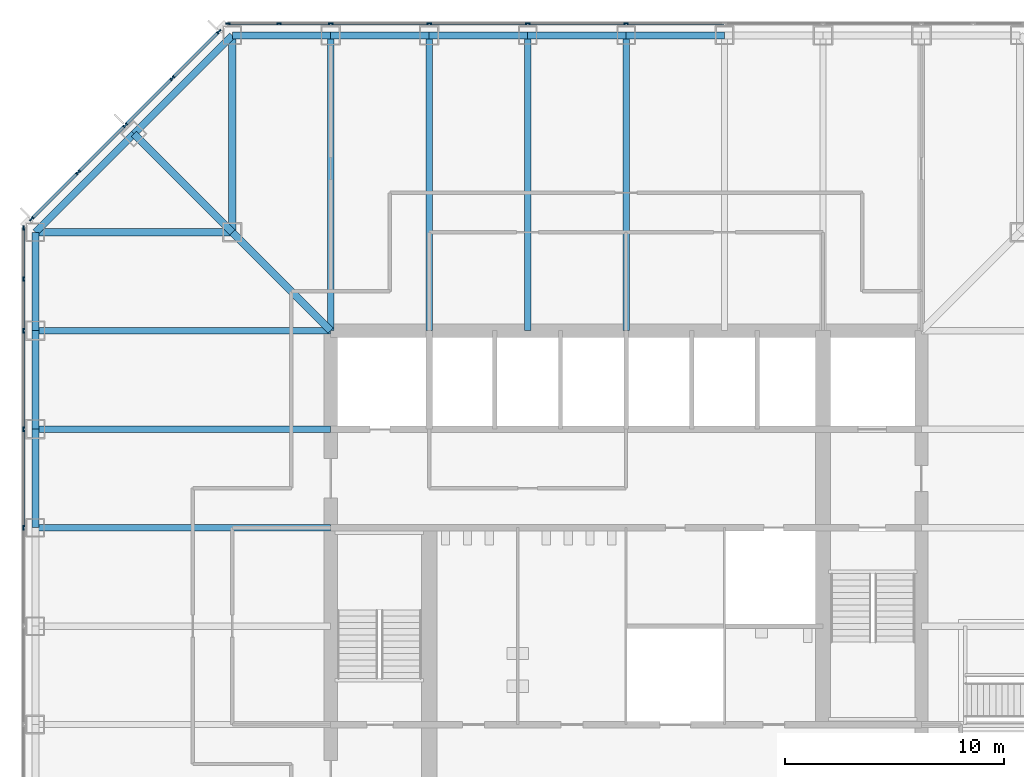
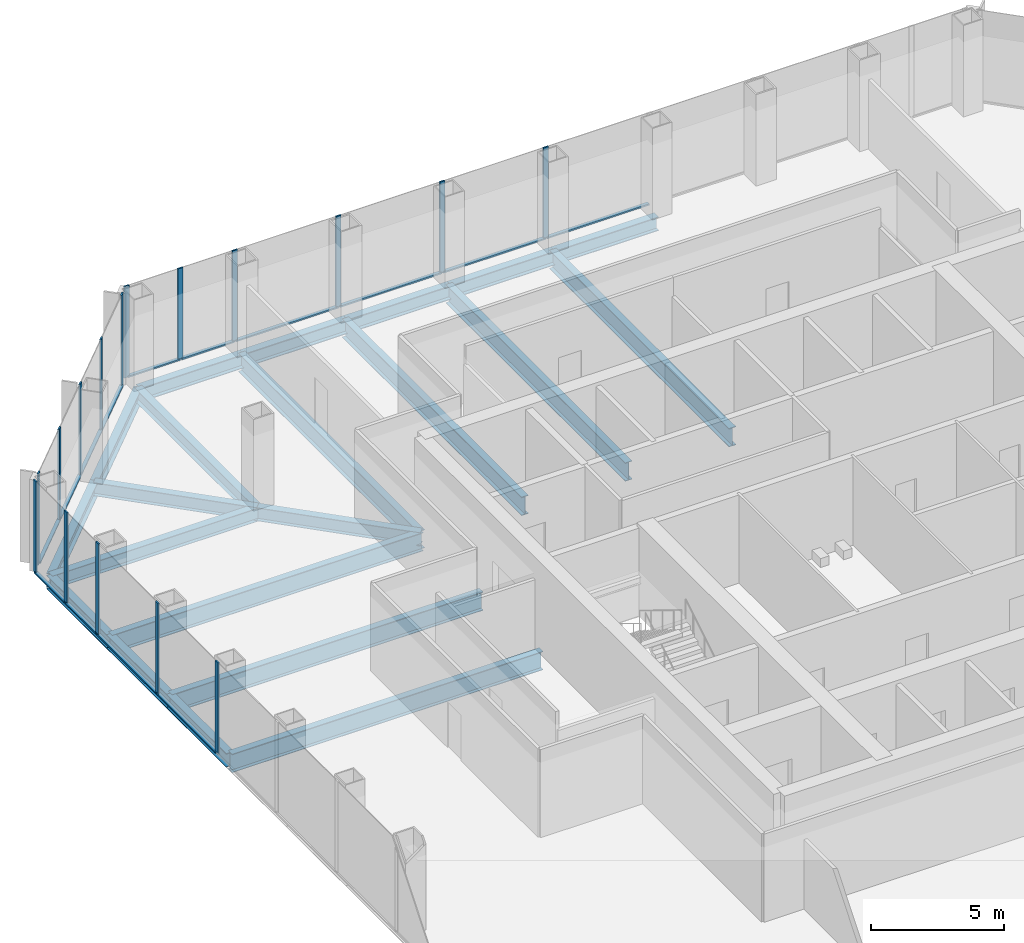
# One storey, part 5 of 12: 30 members, 21 beams, 3 elements without a shape of their own.
"""IFC4 building model written with IfcOpenShell, lengths in metres."""

from ifc_helpers import new_model, si_unit, direction, frame, origin, origin_2d, place, context, subcontext, project, spatial, rectangle, i_section, extrude, material, material_profile, profile_set, type_object, element, aggregate, save


model = new_model("IFC4")

# Units and contexts
model_context = context("Model", 3, precision=1e-05, world=origin(), true_north=direction((0.0, 1.0)))
body_context = subcontext(model_context, "Body", "Model", "MODEL_VIEW")
ifc_project = project(units=[si_unit("LENGTHUNIT", "METRE"), si_unit("AREAUNIT", "SQUARE_METRE"), si_unit("VOLUMEUNIT", "CUBIC_METRE"), si_unit("PLANEANGLEUNIT", "RADIAN"), si_unit("MASSUNIT", "GRAM", prefix="KILO")], contexts=[model_context])

# Site, building, storey
site_placement = place(None, origin())
site = spatial("IfcSite", under=ifc_project, at=site_placement, CompositionType="ELEMENT")
building_placement = place(site_placement, origin())
building = spatial("IfcBuilding", under=site, at=building_placement, Name="Corais Broadcast Tower", CompositionType="ELEMENT")
storey_placement = place(building_placement, frame((0.0, 0.0, 33.199951171875)))
storey = spatial("IfcBuildingStorey", under=building, at=storey_placement, Name="L06", CompositionType="ELEMENT", Elevation=33.199951171875)

# Beams
ifc_material_1 = material(Name="Steel ASTM A572 Grade 50", Category="steel")
ifc_material_profile_1 = material_profile(ifc_material_1, i_section(OverallWidth=0.323974609375, OverallDepth=0.611083984375, WebThickness=0.0126953125, FlangeThickness=0.01904296875, at=origin_2d()), Name="W610x155")
ifc_profile_set_1 = profile_set([ifc_material_profile_1], Name="Steel ASTM A572 Grade 50")
beam_type_1 = type_object("IfcBeamType", Name="Chamfer tie W610x155", PredefinedType="BEAM", material=ifc_profile_set_1)
beam_1_placement = place(storey_placement, frame((4.5, 49.5, -0.46533203125), z_axis=(0.707106781187, -0.707106781187, 0.0), x_axis=(0.707106781187, 0.707106781187, 0.0)))
element("IfcBeam", 1, at=beam_1_placement, inside=storey, type_object=beam_type_1, Name="B5 M/4 to L/5", PredefinedType="BEAM", context=body_context, shape_type="SweptSolid", body=[
    extrude(i_section(OverallWidth=0.323974609375, OverallDepth=0.611083984375, WebThickness=0.0126953125, FlangeThickness=0.01904296875, at=origin_2d()), origin(), (0.0, 0.0, 1.0), 6.364013671875),
])
ifc_material_2 = material(Name="Steel ASTM A572 Grade 50", Category="steel")
ifc_material_profile_2 = material_profile(ifc_material_2, i_section(OverallWidth=0.323974609375, OverallDepth=0.611083984375, WebThickness=0.0126953125, FlangeThickness=0.01904296875, at=origin_2d()), Name="W610x155")
ifc_profile_set_2 = profile_set([ifc_material_profile_2], Name="Steel ASTM A572 Grade 50")
beam_type_2 = type_object("IfcBeamType", Name="Corner diagonal W610x155", PredefinedType="BEAM", material=ifc_profile_set_2)
beam_2_placement = place(storey_placement, frame((9.0, 45.0, -0.46533203125), z_axis=(0.707106781187, -0.707106781187, 0.0), x_axis=(0.707106781187, 0.707106781187, 0.0)))
element("IfcBeam", 2, at=beam_2_placement, inside=storey, type_object=beam_type_2, Name="B6 L/5 to K/6", PredefinedType="BEAM", context=body_context, shape_type="SweptSolid", body=[
    extrude(i_section(OverallWidth=0.323974609375, OverallDepth=0.611083984375, WebThickness=0.0126953125, FlangeThickness=0.01904296875, at=origin_2d()), origin(), (0.0, 0.0, 1.0), 6.364013671875),
])
ifc_material_3 = material(Name="Steel ASTM A572 Grade 50", Category="steel")
ifc_material_profile_3 = material_profile(ifc_material_3, i_section(OverallWidth=0.323974609375, OverallDepth=0.611083984375, WebThickness=0.0126953125, FlangeThickness=0.01904296875, at=origin_2d()), Name="W610x155")
ifc_profile_set_3 = profile_set([ifc_material_profile_3], Name="Steel ASTM A572 Grade 50")
beam_type_3 = type_object("IfcBeamType", Name="Corner girder W610x155", PredefinedType="BEAM", material=ifc_profile_set_3)
for number, where, z_axis, x_axis, name in (
    (3, (0.0, 45.0, -0.46533203125), (1.0, 0.0, 0.0), (0.0, 1.0, 0.0), "B4 L/3 to L/5"),
    (4, (9.0, 54.0, -0.46533203125), (0.0, -1.0, 0.0), (1.0, 0.0, 0.0), "B4 N/5 to L/5"),
):
    element("IfcBeam", number, at=place(storey_placement, frame(where, z_axis=z_axis, x_axis=x_axis)), inside=storey, type_object=beam_type_3, Name=name, PredefinedType="BEAM", context=body_context, shape_type="SweptSolid", body=[
        extrude(i_section(OverallWidth=0.323974609375, OverallDepth=0.611083984375, WebThickness=0.0126953125, FlangeThickness=0.01904296875, at=origin_2d()), origin(), (0.0, 0.0, 1.0), 9.0),
    ])
ifc_material_4 = material(Name="Steel ASTM A572 Grade 50", Category="steel")
ifc_material_profile_4 = material_profile(ifc_material_4, i_section(OverallWidth=0.2939453125, OverallDepth=0.85107421875, WebThickness=0.01611328125, FlangeThickness=0.02685546875, at=origin_2d()), Name="W840x226")
ifc_profile_set_4 = profile_set([ifc_material_profile_4], Name="Steel ASTM A572 Grade 50")
beam_type_4 = type_object("IfcBeamType", Name="Floor beam W840x226", PredefinedType="BEAM", material=ifc_profile_set_4)
for number, where, z_axis, x_axis, name in (
    (5, (0.0, 31.5, -0.58544921875), (1.0, 0.0, 0.0), (0.0, 1.0, 0.0), "B1 H/3 to H/6"),
    (6, (0.0, 36.0, -0.58544921875), (1.0, 0.0, 0.0), (0.0, 1.0, 0.0), "B1 J/3 to J/6"),
    (7, (0.0, 40.5, -0.58544921875), (1.0, 0.0, 0.0), (0.0, 1.0, 0.0), "B1 K/3 to K/6"),
    (8, (13.5, 54.0, -0.58544921875), (0.0, -1.0, 0.0), (1.0, 0.0, 0.0), "B1 N/6 to K/6"),
    (9, (18.0, 54.0, -0.58544921875), (0.0, -1.0, 0.0), (1.0, 0.0, 0.0), "B1 N/7 to K/7"),
    (10, (22.5, 54.0, -0.58544921875), (0.0, -1.0, 0.0), (1.0, 0.0, 0.0), "B1 N/8 to K/8"),
    (11, (27.0, 54.0, -0.58544921875), (0.0, -1.0, 0.0), (1.0, 0.0, 0.0), "B1 N/9 to K/9"),
):
    element("IfcBeam", number, at=place(storey_placement, frame(where, z_axis=z_axis, x_axis=x_axis)), inside=storey, type_object=beam_type_4, Name=name, PredefinedType="BEAM", context=body_context, shape_type="SweptSolid", body=[
        extrude(i_section(OverallWidth=0.2939453125, OverallDepth=0.85107421875, WebThickness=0.01611328125, FlangeThickness=0.02685546875, at=origin_2d()), origin(), (0.0, 0.0, 1.0), 13.5),
    ])

# Curtain wall, members
ifc_material_5 = material(Name="Aluminium and glass", Category="aluminium")
curtain_wall_type = type_object("IfcCurtainWallType", Name="Newsroom clear-glass curtain wall CW7", PredefinedType="NOTDEFINED", material=ifc_material_5)
curtain_wall_1_placement = place(storey_placement, origin())
curtain_wall_1 = element("IfcCurtainWall", 12, at=curtain_wall_1_placement, inside=storey, type_object=curtain_wall_type, Name="CW7 curtain wall L06 2", PredefinedType="NOTDEFINED")
ifc_material_6 = material(Name="Aluminium 6063-T6", Category="aluminium")
ifc_material_profile_5 = material_profile(ifc_material_6, rectangle(XDim=0.06494140625, YDim=0.219970703125, at=origin_2d()), Name="Mullion CW7 65x220")
ifc_profile_set_5 = profile_set([ifc_material_profile_5], Name="Aluminium 6063-T6")
member_type_1 = type_object("IfcMemberType", Name="Mullion CW7 65x220", PredefinedType="MULLION", material=ifc_profile_set_5)
member_1_placement = place(storey_placement, frame((-0.550048828125, 31.5, 0.0), z_axis=(0.0, 0.0, 1.0), x_axis=(-1.0, 0.0, 0.0)))
member_1 = element("IfcMember", 13, at=member_1_placement, type_object=member_type_1, Name="CW7 mullion 7", PredefinedType="MULLION", context=body_context, shape_type="SweptSolid", body=[
    extrude(rectangle(XDim=0.06494140625, YDim=0.219970703125, at=origin_2d()), origin(), (0.0, 0.0, 1.0), 4.199951171875),
])
member_2_placement = place(storey_placement, frame((-0.550048828125, 36.0, 0.0), z_axis=(0.0, 0.0, 1.0), x_axis=(-1.0, 0.0, 0.0)))
member_2 = element("IfcMember", 14, at=member_2_placement, type_object=member_type_1, Name="CW7 mullion 8", PredefinedType="MULLION", context=body_context, shape_type="SweptSolid", body=[
    extrude(rectangle(XDim=0.06494140625, YDim=0.219970703125, at=origin_2d()), origin(), (0.0, 0.0, 1.0), 4.199951171875),
])
member_3_placement = place(storey_placement, frame((-0.550048828125, 40.5, 0.0), z_axis=(0.0, 0.0, 1.0), x_axis=(-1.0, 0.0, 0.0)))
member_3 = element("IfcMember", 15, at=member_3_placement, type_object=member_type_1, Name="CW7 mullion 9", PredefinedType="MULLION", context=body_context, shape_type="SweptSolid", body=[
    extrude(rectangle(XDim=0.06494140625, YDim=0.219970703125, at=origin_2d()), origin(), (0.0, 0.0, 1.0), 4.199951171875),
])
member_4_placement = place(storey_placement, frame((-0.550048828125, 42.864013671875, 0.0), z_axis=(0.0, 0.0, 1.0), x_axis=(-1.0, 0.0, 0.0)))
member_4 = element("IfcMember", 16, at=member_4_placement, type_object=member_type_1, Name="CW7 mullion 10", PredefinedType="MULLION", context=body_context, shape_type="SweptSolid", body=[
    extrude(rectangle(XDim=0.06494140625, YDim=0.219970703125, at=origin_2d()), origin(), (0.0, 0.0, 1.0), 4.199951171875),
])
member_5_placement = place(storey_placement, frame((-0.550048828125, 45.1953125, 0.0), z_axis=(0.0, 0.0, 1.0), x_axis=(-1.0, 0.0, 0.0)))
member_5 = element("IfcMember", 17, at=member_5_placement, type_object=member_type_1, Name="CW7 mullion 11", PredefinedType="MULLION", context=body_context, shape_type="SweptSolid", body=[
    extrude(rectangle(XDim=0.06494140625, YDim=0.219970703125, at=origin_2d()), origin(), (0.0, 0.0, 1.0), 4.199951171875),
])

curtain_wall_2_placement = place(storey_placement, origin())
curtain_wall_2 = element("IfcCurtainWall", 18, at=curtain_wall_2_placement, inside=storey, type_object=curtain_wall_type, Name="CW7 curtain wall L06 3", PredefinedType="NOTDEFINED")
member_6_placement = place(storey_placement, frame((-0.17333984375, 45.6044921875, 0.0), z_axis=(0.0, 0.0, 1.0), x_axis=(-0.707106781187, 0.707106781187, 0.0)))
member_6 = element("IfcMember", 19, at=member_6_placement, type_object=member_type_1, Name="CW7 mullion 1", PredefinedType="MULLION", context=body_context, shape_type="SweptSolid", body=[
    extrude(rectangle(XDim=0.06494140625, YDim=0.219970703125, at=origin_2d()), origin(), (0.0, 0.0, 1.0), 4.199951171875),
])
member_7_placement = place(storey_placement, frame((1.957275390625, 47.735107421875, 0.0), z_axis=(0.0, 0.0, 1.0), x_axis=(-0.707106781187, 0.707106781187, 0.0)))
member_7 = element("IfcMember", 20, at=member_7_placement, type_object=member_type_1, Name="CW7 mullion 2", PredefinedType="MULLION", context=body_context, shape_type="SweptSolid", body=[
    extrude(rectangle(XDim=0.06494140625, YDim=0.219970703125, at=origin_2d()), origin(), (0.0, 0.0, 1.0), 4.199951171875),
])
member_8_placement = place(storey_placement, frame((4.111083984375, 49.888916015625, 0.0), z_axis=(0.0, 0.0, 1.0), x_axis=(-0.707106781187, 0.707106781187, 0.0)))
member_8 = element("IfcMember", 21, at=member_8_placement, type_object=member_type_1, Name="CW7 mullion 3", PredefinedType="MULLION", context=body_context, shape_type="SweptSolid", body=[
    extrude(rectangle(XDim=0.06494140625, YDim=0.219970703125, at=origin_2d()), origin(), (0.0, 0.0, 1.0), 4.199951171875),
])
member_9_placement = place(storey_placement, frame((6.264892578125, 52.042724609375, 0.0), z_axis=(0.0, 0.0, 1.0), x_axis=(-0.707106781187, 0.707106781187, 0.0)))
member_9 = element("IfcMember", 22, at=member_9_placement, type_object=member_type_1, Name="CW7 mullion 4", PredefinedType="MULLION", context=body_context, shape_type="SweptSolid", body=[
    extrude(rectangle(XDim=0.06494140625, YDim=0.219970703125, at=origin_2d()), origin(), (0.0, 0.0, 1.0), 4.199951171875),
])
member_10_placement = place(storey_placement, frame((8.3955078125, 54.17333984375, 0.0), z_axis=(0.0, 0.0, 1.0), x_axis=(-0.707106781187, 0.707106781187, 0.0)))
member_10 = element("IfcMember", 23, at=member_10_placement, type_object=member_type_1, Name="CW7 mullion 5", PredefinedType="MULLION", context=body_context, shape_type="SweptSolid", body=[
    extrude(rectangle(XDim=0.06494140625, YDim=0.219970703125, at=origin_2d()), origin(), (0.0, 0.0, 1.0), 4.199951171875),
])

curtain_wall_3_placement = place(storey_placement, origin())
curtain_wall_3 = element("IfcCurtainWall", 24, at=curtain_wall_3_placement, inside=storey, type_object=curtain_wall_type, Name="CW7 curtain wall L06 4", PredefinedType="NOTDEFINED")
member_11_placement = place(storey_placement, frame((8.8046875, 54.550048828125, 0.0), z_axis=(0.0, 0.0, 1.0), x_axis=(0.0, 1.0, 0.0)))
member_11 = element("IfcMember", 25, at=member_11_placement, type_object=member_type_1, Name="CW7 mullion 1", PredefinedType="MULLION", context=body_context, shape_type="SweptSolid", body=[
    extrude(rectangle(XDim=0.06494140625, YDim=0.219970703125, at=origin_2d()), origin(), (0.0, 0.0, 1.0), 4.199951171875),
])
member_12_placement = place(storey_placement, frame((11.135986328125, 54.550048828125, 0.0), z_axis=(0.0, 0.0, 1.0), x_axis=(0.0, 1.0, 0.0)))
member_12 = element("IfcMember", 26, at=member_12_placement, type_object=member_type_1, Name="CW7 mullion 2", PredefinedType="MULLION", context=body_context, shape_type="SweptSolid", body=[
    extrude(rectangle(XDim=0.06494140625, YDim=0.219970703125, at=origin_2d()), origin(), (0.0, 0.0, 1.0), 4.199951171875),
])
member_13_placement = place(storey_placement, frame((13.5, 54.550048828125, 0.0), z_axis=(0.0, 0.0, 1.0), x_axis=(0.0, 1.0, 0.0)))
member_13 = element("IfcMember", 27, at=member_13_placement, type_object=member_type_1, Name="CW7 mullion 3", PredefinedType="MULLION", context=body_context, shape_type="SweptSolid", body=[
    extrude(rectangle(XDim=0.06494140625, YDim=0.219970703125, at=origin_2d()), origin(), (0.0, 0.0, 1.0), 4.199951171875),
])
member_14_placement = place(storey_placement, frame((18.0, 54.550048828125, 0.0), z_axis=(0.0, 0.0, 1.0), x_axis=(0.0, 1.0, 0.0)))
member_14 = element("IfcMember", 28, at=member_14_placement, type_object=member_type_1, Name="CW7 mullion 4", PredefinedType="MULLION", context=body_context, shape_type="SweptSolid", body=[
    extrude(rectangle(XDim=0.06494140625, YDim=0.219970703125, at=origin_2d()), origin(), (0.0, 0.0, 1.0), 4.199951171875),
])
member_15_placement = place(storey_placement, frame((22.5, 54.550048828125, 0.0), z_axis=(0.0, 0.0, 1.0), x_axis=(0.0, 1.0, 0.0)))
member_15 = element("IfcMember", 29, at=member_15_placement, type_object=member_type_1, Name="CW7 mullion 5", PredefinedType="MULLION", context=body_context, shape_type="SweptSolid", body=[
    extrude(rectangle(XDim=0.06494140625, YDim=0.219970703125, at=origin_2d()), origin(), (0.0, 0.0, 1.0), 4.199951171875),
])
member_16_placement = place(storey_placement, frame((27.0, 54.550048828125, 0.0), z_axis=(0.0, 0.0, 1.0), x_axis=(0.0, 1.0, 0.0)))
member_16 = element("IfcMember", 30, at=member_16_placement, type_object=member_type_1, Name="CW7 mullion 6", PredefinedType="MULLION", context=body_context, shape_type="SweptSolid", body=[
    extrude(rectangle(XDim=0.06494140625, YDim=0.219970703125, at=origin_2d()), origin(), (0.0, 0.0, 1.0), 4.199951171875),
])

# Beams
ifc_material_7 = material(Name="Steel ASTM A572 Grade 50", Category="steel")
ifc_material_profile_6 = material_profile(ifc_material_7, i_section(OverallWidth=0.3291015625, OverallDepth=0.635009765625, WebThickness=0.017822265625, FlangeThickness=0.031005859375, at=origin_2d()), Name="W610x241")
ifc_profile_set_6 = profile_set([ifc_material_profile_6], Name="Steel ASTM A572 Grade 50")
beam_type_5 = type_object("IfcBeamType", Name="Spandrel W610x241", PredefinedType="BEAM", material=ifc_profile_set_6)
for number, where, z_axis, x_axis, name in (
    (31, (0.0, 36.0, -0.4775390625), (0.0, -1.0, 0.0), (1.0, 0.0, 0.0), "SB1 J/3 to H/3"),
    (32, (0.0, 40.5, -0.4775390625), (0.0, -1.0, 0.0), (1.0, 0.0, 0.0), "SB1 K/3 to J/3"),
    (33, (0.0, 45.0, -0.4775390625), (0.0, -1.0, 0.0), (1.0, 0.0, 0.0), "SB1 L/3 to K/3"),
    (34, (13.5, 54.0, -0.4775390625), (-1.0, 0.0, 0.0), (0.0, -1.0, 0.0), "SB1 N/6 to N/5"),
    (35, (18.0, 54.0, -0.4775390625), (-1.0, 0.0, 0.0), (0.0, -1.0, 0.0), "SB1 N/7 to N/6"),
    (36, (22.5, 54.0, -0.4775390625), (-1.0, 0.0, 0.0), (0.0, -1.0, 0.0), "SB1 N/8 to N/7"),
    (37, (27.0, 54.0, -0.4775390625), (-1.0, 0.0, 0.0), (0.0, -1.0, 0.0), "SB1 N/9 to N/8"),
    (38, (31.5, 54.0, -0.4775390625), (-1.0, 0.0, 0.0), (0.0, -1.0, 0.0), "SB1 N/10 to N/9"),
):
    element("IfcBeam", number, at=place(storey_placement, frame(where, z_axis=z_axis, x_axis=x_axis)), inside=storey, type_object=beam_type_5, Name=name, PredefinedType="BEAM", context=body_context, shape_type="SweptSolid", body=[
        extrude(i_section(OverallWidth=0.3291015625, OverallDepth=0.635009765625, WebThickness=0.017822265625, FlangeThickness=0.031005859375, at=origin_2d()), origin(), (0.0, 0.0, 1.0), 4.5),
    ])
for number, where, z_axis, x_axis, name in (
    (39, (4.5, 49.5, -0.4775390625), (-0.707106781187, -0.707106781187, 0.0), (0.707106781187, -0.707106781187, 0.0), "SB1 M/4 to L/3"),
    (40, (9.0, 54.0, -0.4775390625), (-0.707106781187, -0.707106781187, 0.0), (0.707106781187, -0.707106781187, 0.0), "SB1 N/5 to M/4"),
):
    element("IfcBeam", number, at=place(storey_placement, frame(where, z_axis=z_axis, x_axis=x_axis)), inside=storey, type_object=beam_type_5, Name=name, PredefinedType="BEAM", context=body_context, shape_type="SweptSolid", body=[
        extrude(i_section(OverallWidth=0.3291015625, OverallDepth=0.635009765625, WebThickness=0.017822265625, FlangeThickness=0.031005859375, at=origin_2d()), origin(), (0.0, 0.0, 1.0), 6.364013671875),
    ])

# Member
ifc_material_8 = material(Name="Aluminium 6063-T6", Category="aluminium")
ifc_material_profile_7 = material_profile(ifc_material_8, rectangle(XDim=0.14990234375, YDim=0.06494140625, at=origin_2d()), Name="Transom CW7 65x150")
ifc_profile_set_7 = profile_set([ifc_material_profile_7], Name="Aluminium 6063-T6")
member_type_2 = type_object("IfcMemberType", Name="Transom CW7 65x150", PredefinedType="USERDEFINED", material=ifc_profile_set_7)
member_17_placement = place(storey_placement, frame((-0.550048828125, 31.532470703125, 0.032470703125), z_axis=(0.0, 1.0, 0.0), x_axis=(-1.0, 0.0, 0.0)))
member_17 = element("IfcMember", 41, at=member_17_placement, type_object=member_type_2, Name="CW7 transom 7.1", ObjectType="TRANSOM", PredefinedType="USERDEFINED", context=body_context, shape_type="SweptSolid", body=[
    extrude(rectangle(XDim=0.14990234375, YDim=0.06494140625, at=origin_2d()), origin(), (0.0, 0.0, 1.0), 4.43505859375),
])

member_18_placement = place(storey_placement, frame((-0.550048828125, 36.032470703125, 0.032470703125), z_axis=(0.0, 1.0, 0.0), x_axis=(-1.0, 0.0, 0.0)))
member_18 = element("IfcMember", 42, at=member_18_placement, type_object=member_type_2, Name="CW7 transom 8.1", ObjectType="TRANSOM", PredefinedType="USERDEFINED", context=body_context, shape_type="SweptSolid", body=[
    extrude(rectangle(XDim=0.14990234375, YDim=0.06494140625, at=origin_2d()), origin(), (0.0, 0.0, 1.0), 4.43505859375),
])

member_19_placement = place(storey_placement, frame((-0.550048828125, 40.532470703125, 0.032470703125), z_axis=(0.0, 1.0, 0.0), x_axis=(-1.0, 0.0, 0.0)))
member_19 = element("IfcMember", 43, at=member_19_placement, type_object=member_type_2, Name="CW7 transom 9.1", ObjectType="TRANSOM", PredefinedType="USERDEFINED", context=body_context, shape_type="SweptSolid", body=[
    extrude(rectangle(XDim=0.14990234375, YDim=0.06494140625, at=origin_2d()), origin(), (0.0, 0.0, 1.0), 2.298828125),
])

member_20_placement = place(storey_placement, frame((-0.550048828125, 42.896484375, 0.032470703125), z_axis=(0.0, 1.0, 0.0), x_axis=(-1.0, 0.0, 0.0)))
member_20 = element("IfcMember", 44, at=member_20_placement, type_object=member_type_2, Name="CW7 transom 10.1", ObjectType="TRANSOM", PredefinedType="USERDEFINED", context=body_context, shape_type="SweptSolid", body=[
    extrude(rectangle(XDim=0.14990234375, YDim=0.06494140625, at=origin_2d()), origin(), (0.0, 0.0, 1.0), 2.266357421875),
])

aggregate(curtain_wall_1, [member_1, member_2, member_3, member_4, member_5, member_17, member_18, member_19, member_20])

member_21_placement = place(storey_placement, frame((-0.150390625, 45.62744140625, 0.032470703125), z_axis=(0.707106781187, 0.707106781187, 0.0), x_axis=(-0.707106781187, 0.707106781187, 0.0)))
member_21 = element("IfcMember", 45, at=member_21_placement, type_object=member_type_2, Name="CW7 transom 1.1", ObjectType="TRANSOM", PredefinedType="USERDEFINED", context=body_context, shape_type="SweptSolid", body=[
    extrude(rectangle(XDim=0.14990234375, YDim=0.06494140625, at=origin_2d()), origin(), (0.0, 0.0, 1.0), 2.9482421875),
])

member_22_placement = place(storey_placement, frame((1.980224609375, 47.758056640625, 0.032470703125), z_axis=(0.707106781187, 0.707106781187, 0.0), x_axis=(-0.707106781187, 0.707106781187, 0.0)))
member_22 = element("IfcMember", 46, at=member_22_placement, type_object=member_type_2, Name="CW7 transom 2.1", ObjectType="TRANSOM", PredefinedType="USERDEFINED", context=body_context, shape_type="SweptSolid", body=[
    extrude(rectangle(XDim=0.14990234375, YDim=0.06494140625, at=origin_2d()), origin(), (0.0, 0.0, 1.0), 2.98095703125),
])

member_23_placement = place(storey_placement, frame((4.134033203125, 49.911865234375, 0.032470703125), z_axis=(0.707106781187, 0.707106781187, 0.0), x_axis=(-0.707106781187, 0.707106781187, 0.0)))
member_23 = element("IfcMember", 47, at=member_23_placement, type_object=member_type_2, Name="CW7 transom 3.1", ObjectType="TRANSOM", PredefinedType="USERDEFINED", context=body_context, shape_type="SweptSolid", body=[
    extrude(rectangle(XDim=0.14990234375, YDim=0.06494140625, at=origin_2d()), origin(), (0.0, 0.0, 1.0), 2.98095703125),
])

member_24_placement = place(storey_placement, frame((6.287841796875, 52.065673828125, 0.032470703125), z_axis=(0.707106781187, 0.707106781187, 0.0), x_axis=(-0.707106781187, 0.707106781187, 0.0)))
member_24 = element("IfcMember", 48, at=member_24_placement, type_object=member_type_2, Name="CW7 transom 4.1", ObjectType="TRANSOM", PredefinedType="USERDEFINED", context=body_context, shape_type="SweptSolid", body=[
    extrude(rectangle(XDim=0.14990234375, YDim=0.06494140625, at=origin_2d()), origin(), (0.0, 0.0, 1.0), 2.9482421875),
])

aggregate(curtain_wall_2, [member_6, member_7, member_8, member_9, member_10, member_21, member_22, member_23, member_24])

member_25_placement = place(storey_placement, frame((8.837158203125, 54.550048828125, 0.032470703125), z_axis=(1.0, 0.0, 0.0), x_axis=(0.0, 1.0, 0.0)))
member_25 = element("IfcMember", 49, at=member_25_placement, type_object=member_type_2, Name="CW7 transom 1.1", ObjectType="TRANSOM", PredefinedType="USERDEFINED", context=body_context, shape_type="SweptSolid", body=[
    extrude(rectangle(XDim=0.14990234375, YDim=0.06494140625, at=origin_2d()), origin(), (0.0, 0.0, 1.0), 2.266357421875),
])

member_26_placement = place(storey_placement, frame((11.168701171875, 54.550048828125, 0.032470703125), z_axis=(1.0, 0.0, 0.0), x_axis=(0.0, 1.0, 0.0)))
member_26 = element("IfcMember", 50, at=member_26_placement, type_object=member_type_2, Name="CW7 transom 2.1", ObjectType="TRANSOM", PredefinedType="USERDEFINED", context=body_context, shape_type="SweptSolid", body=[
    extrude(rectangle(XDim=0.14990234375, YDim=0.06494140625, at=origin_2d()), origin(), (0.0, 0.0, 1.0), 2.298828125),
])

member_27_placement = place(storey_placement, frame((13.532470703125, 54.550048828125, 0.032470703125), z_axis=(1.0, 0.0, 0.0), x_axis=(0.0, 1.0, 0.0)))
member_27 = element("IfcMember", 51, at=member_27_placement, type_object=member_type_2, Name="CW7 transom 3.1", ObjectType="TRANSOM", PredefinedType="USERDEFINED", context=body_context, shape_type="SweptSolid", body=[
    extrude(rectangle(XDim=0.14990234375, YDim=0.06494140625, at=origin_2d()), origin(), (0.0, 0.0, 1.0), 4.43505859375),
])

member_28_placement = place(storey_placement, frame((18.032470703125, 54.550048828125, 0.032470703125), z_axis=(1.0, 0.0, 0.0), x_axis=(0.0, 1.0, 0.0)))
member_28 = element("IfcMember", 52, at=member_28_placement, type_object=member_type_2, Name="CW7 transom 4.1", ObjectType="TRANSOM", PredefinedType="USERDEFINED", context=body_context, shape_type="SweptSolid", body=[
    extrude(rectangle(XDim=0.14990234375, YDim=0.06494140625, at=origin_2d()), origin(), (0.0, 0.0, 1.0), 4.43505859375),
])

member_29_placement = place(storey_placement, frame((22.532470703125, 54.550048828125, 0.032470703125), z_axis=(1.0, 0.0, 0.0), x_axis=(0.0, 1.0, 0.0)))
member_29 = element("IfcMember", 53, at=member_29_placement, type_object=member_type_2, Name="CW7 transom 5.1", ObjectType="TRANSOM", PredefinedType="USERDEFINED", context=body_context, shape_type="SweptSolid", body=[
    extrude(rectangle(XDim=0.14990234375, YDim=0.06494140625, at=origin_2d()), origin(), (0.0, 0.0, 1.0), 4.43505859375),
])

member_30_placement = place(storey_placement, frame((27.032470703125, 54.550048828125, 0.032470703125), z_axis=(1.0, 0.0, 0.0), x_axis=(0.0, 1.0, 0.0)))
member_30 = element("IfcMember", 54, at=member_30_placement, type_object=member_type_2, Name="CW7 transom 6.1", ObjectType="TRANSOM", PredefinedType="USERDEFINED", context=body_context, shape_type="SweptSolid", body=[
    extrude(rectangle(XDim=0.14990234375, YDim=0.06494140625, at=origin_2d()), origin(), (0.0, 0.0, 1.0), 4.43505859375),
])

aggregate(curtain_wall_3, [member_11, member_12, member_13, member_14, member_15, member_16, member_25, member_26, member_27, member_28, member_29, member_30])

save(model, "model.ifc")
